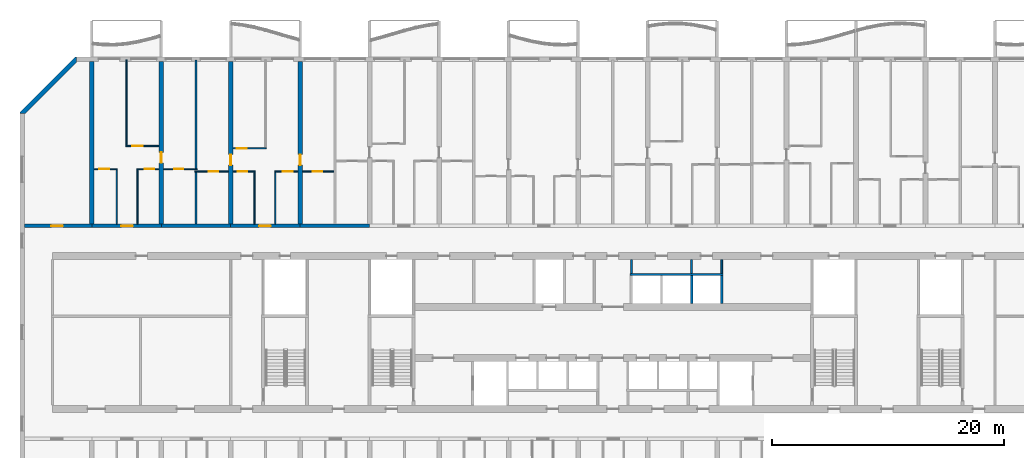
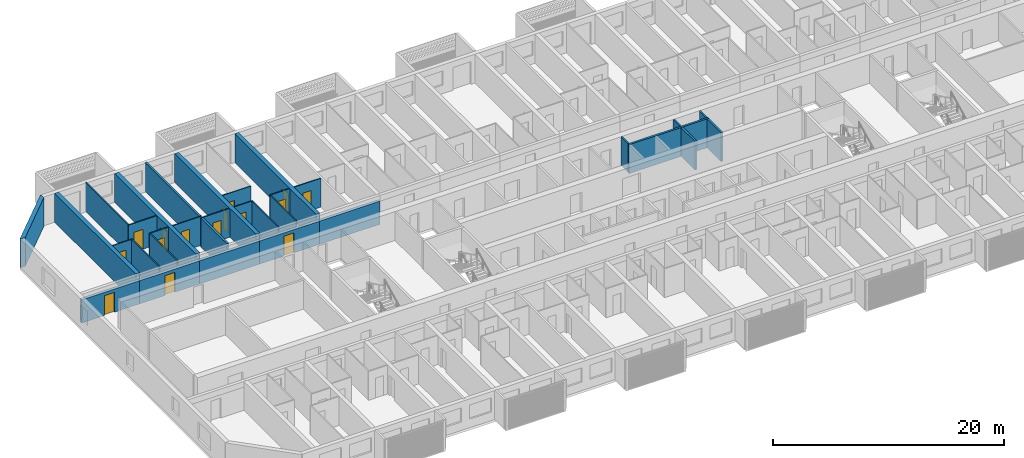
# One storey, part 10 of 38: 32 walls, 15 doors, 15 openings.
"""IFC4 building model written with IfcOpenShell, lengths in metres."""

from ifc_helpers import new_model, si_unit, direction, frame, frame_2d, origin, place, context, subcontext, project, spatial, polyline, rectangle, outline, extrude, material, layer, layer_set, type_object, element, fill, save


model = new_model("IFC4")

# Units and contexts
model_context = context("Model", 3, precision=1e-05, world=origin(), true_north=direction((0.0, 1.0)))
body_context = subcontext(model_context, "Body", "Model", "MODEL_VIEW")
ifc_project = project(units=[si_unit("LENGTHUNIT", "METRE"), si_unit("AREAUNIT", "SQUARE_METRE"), si_unit("VOLUMEUNIT", "CUBIC_METRE"), si_unit("PLANEANGLEUNIT", "RADIAN"), si_unit("MASSUNIT", "GRAM", prefix="KILO")], contexts=[model_context])

# Site, building, storey
site_placement = place(None, origin())
site = spatial("IfcSite", under=ifc_project, at=site_placement, CompositionType="ELEMENT")
building_placement = place(site_placement, origin())
building = spatial("IfcBuilding", under=site, at=building_placement, Name="Poui Terraces", CompositionType="ELEMENT")
storey_placement = place(building_placement, frame((0.0, 0.0, 46.5)))
storey = spatial("IfcBuildingStorey", under=building, at=storey_placement, Name="L12", CompositionType="ELEMENT", Elevation=46.5)

# Wall
ifc_material_1 = material(Name="Fire-rated plasterboard wall")
ifc_layer_1 = layer(ifc_material_1, 0.14990234375)
ifc_layer_set_1 = layer_set([ifc_layer_1], Name="Fire-rated plasterboard wall")
wall_type_1 = type_object("IfcWallType", Name="CORRIDOR WALL 150", PredefinedType="PARTITIONING", material=ifc_layer_set_1)
wall_1_placement = place(storey_placement, frame((52.60009765625, 26.300048828125, 0.0), z_axis=(0.0, 0.0, 1.0), x_axis=(0.0, 1.0, 0.0)))
element("IfcWall", 1, at=wall_1_placement, inside=storey, type_object=wall_type_1, Name="CORRIDOR WALL 150", PredefinedType="PARTITIONING", context=body_context, shape_type="SweptSolid", body=[
    extrude(rectangle(XDim=1.18994140625, YDim=0.14990234375, at=frame_2d((0.594970703125, 0.0))), origin(), (0.0, 0.0, 1.0), 3.050048828125),
])

# Wall, opening, door
ifc_material_2 = material(Name="Concrete 80 MPa", Category="concrete")
ifc_layer_2 = layer(ifc_material_2, 0.300048828125)
ifc_layer_set_2 = layer_set([ifc_layer_2], Name="Concrete 80 MPa")
wall_type_2 = type_object("IfcWallType", Name="CORRIDOR WALL 300 80MPa", PredefinedType="SHEAR", material=ifc_layer_set_2)
wall_2_placement = place(storey_placement, frame((0.199951171875, 30.39990234375, 0.0), z_axis=(0.0, 0.0, 1.0), x_axis=(1.0, 0.0, 0.0)))
wall_2 = element("IfcWall", 2, at=wall_2_placement, inside=storey, type_object=wall_type_2, Name="CORRIDOR WALL LINE E BAY 1", PredefinedType="SHEAR", context=body_context, shape_type="SweptSolid", body=[
    extrude(rectangle(XDim=5.800048828125, YDim=0.300048828125, at=frame_2d((2.89990234375, 0.0))), origin(), (0.0, 0.0, 1.0), 2.449951171875),
])
opening_1_placement = place(wall_2_placement, frame((2.300048828125, 0.0, 0.0)))
opening_1 = element("IfcOpeningElement", 3, at=opening_1_placement, cuts=wall_2, Name="Opening D100", PredefinedType="OPENING", context=body_context, shape_type="SweptSolid", body=[
    extrude(rectangle(XDim=1.0, YDim=2.10009765625, at=frame_2d((0.5, 1.050048828125))), frame((0.0, 0.16015625, 0.0), z_axis=(0.0, -1.0, 0.0), x_axis=(1.0, 0.0, 0.0)), (0.0, 0.0, 1.0), 0.320068359375),
])
ifc_material_3 = material(Name="Solid core timber door", Category="wood")
door_type_1 = type_object("IfcDoorType", Name="ACCESSIBLE INTERNAL DOOR 1000 X 2100", OperationType="NOTDEFINED", PredefinedType="DOOR", material=ifc_material_3)
door_1_placement = place(opening_1_placement, origin())
door_1 = element("IfcDoor", 4, at=door_1_placement, inside=storey, type_object=door_type_1, Name="ACCESSIBLE INTERNAL DOOR 031", OperationType="SINGLE_SWING_LEFT", OverallHeight=2.10009765625, OverallWidth=1.0, PredefinedType="DOOR", context=body_context, shape_type="SweptSolid", body=[
    extrude(rectangle(XDim=1.0, YDim=2.10009765625, at=frame_2d((0.5, 1.050048828125))), frame((0.0, 0.02490234375, 0.0), z_axis=(0.0, -1.0, 0.0), x_axis=(1.0, 0.0, 0.0)), (0.0, 0.0, 1.0), 0.050048828125),
])
fill(opening_1, door_1)

wall_3_placement = place(storey_placement, frame((6.0, 30.39990234375, 0.0), z_axis=(0.0, 0.0, 1.0), x_axis=(1.0, 0.0, 0.0)))
wall_3 = element("IfcWall", 5, at=wall_3_placement, inside=storey, type_object=wall_type_2, Name="CORRIDOR WALL LINE E BAY 2", PredefinedType="SHEAR", context=body_context, shape_type="SweptSolid", body=[
    extrude(rectangle(XDim=6.0, YDim=0.300048828125, at=frame_2d((3.0, 0.0))), origin(), (0.0, 0.0, 1.0), 2.449951171875),
])
opening_2_placement = place(wall_3_placement, frame((2.550048828125, 0.0, 0.0)))
opening_2 = element("IfcOpeningElement", 6, at=opening_2_placement, cuts=wall_3, Name="Opening FD30S", PredefinedType="OPENING", context=body_context, shape_type="SweptSolid", body=[
    extrude(rectangle(XDim=1.0, YDim=2.10009765625, at=frame_2d((0.5, 1.050048828125))), frame((0.0, 0.16015625, 0.0), z_axis=(0.0, -1.0, 0.0), x_axis=(1.0, 0.0, 0.0)), (0.0, 0.0, 1.0), 0.320068359375),
])
ifc_material_4 = material(Name="Steel fire door", Category="steel")
door_type_2 = type_object("IfcDoorType", Name="FLAT ENTRANCE DOOR 1000 X 2100", OperationType="NOTDEFINED", PredefinedType="DOOR", material=ifc_material_4)
door_2_placement = place(opening_2_placement, origin())
door_2 = element("IfcDoor", 7, at=door_2_placement, inside=storey, type_object=door_type_2, Name="FLAT ENTRANCE DOOR 034", OperationType="SINGLE_SWING_RIGHT", OverallHeight=2.10009765625, OverallWidth=1.0, PredefinedType="DOOR", context=body_context, shape_type="SweptSolid", body=[
    extrude(rectangle(XDim=1.0, YDim=2.10009765625, at=frame_2d((0.5, 1.050048828125))), frame((0.0, 0.02490234375, 0.0), z_axis=(0.0, -1.0, 0.0), x_axis=(1.0, 0.0, 0.0)), (0.0, 0.0, 1.0), 0.050048828125),
])
fill(opening_2, door_2)

# Wall
wall_4_placement = place(storey_placement, frame((12.0, 30.39990234375, 0.0), z_axis=(0.0, 0.0, 1.0), x_axis=(1.0, 0.0, 0.0)))
element("IfcWall", 8, at=wall_4_placement, inside=storey, type_object=wall_type_2, Name="CORRIDOR WALL LINE E BAY 3", PredefinedType="SHEAR", context=body_context, shape_type="SweptSolid", body=[
    extrude(rectangle(XDim=6.0, YDim=0.300048828125, at=frame_2d((3.0, 0.0))), origin(), (0.0, 0.0, 1.0), 2.449951171875),
])

# Wall, opening, door
wall_5_placement = place(storey_placement, frame((18.0, 30.39990234375, 0.0), z_axis=(0.0, 0.0, 1.0), x_axis=(1.0, 0.0, 0.0)))
wall_5 = element("IfcWall", 9, at=wall_5_placement, inside=storey, type_object=wall_type_2, Name="CORRIDOR WALL LINE E BAY 4", PredefinedType="SHEAR", context=body_context, shape_type="SweptSolid", body=[
    extrude(rectangle(XDim=6.0, YDim=0.300048828125, at=frame_2d((3.0, 0.0))), origin(), (0.0, 0.0, 1.0), 2.449951171875),
])
opening_3_placement = place(wall_5_placement, frame((2.449951171875, 0.0, 0.0)))
opening_3 = element("IfcOpeningElement", 10, at=opening_3_placement, cuts=wall_5, Name="Opening FD30S", PredefinedType="OPENING", context=body_context, shape_type="SweptSolid", body=[
    extrude(rectangle(XDim=1.0, YDim=2.10009765625, at=frame_2d((0.5, 1.050048828125))), frame((0.0, 0.16015625, 0.0), z_axis=(0.0, -1.0, 0.0), x_axis=(1.0, 0.0, 0.0)), (0.0, 0.0, 1.0), 0.320068359375),
])
door_3_placement = place(opening_3_placement, origin())
door_3 = element("IfcDoor", 11, at=door_3_placement, inside=storey, type_object=door_type_2, Name="FLAT ENTRANCE DOOR 043", OperationType="SINGLE_SWING_LEFT", OverallHeight=2.10009765625, OverallWidth=1.0, PredefinedType="DOOR", context=body_context, shape_type="SweptSolid", body=[
    extrude(rectangle(XDim=1.0, YDim=2.10009765625, at=frame_2d((0.5, 1.050048828125))), frame((0.0, 0.02490234375, 0.0), z_axis=(0.0, -1.0, 0.0), x_axis=(1.0, 0.0, 0.0)), (0.0, 0.0, 1.0), 0.050048828125),
])
fill(opening_3, door_3)

# Walls
wall_6_placement = place(storey_placement, frame((24.0, 30.39990234375, 0.0), z_axis=(0.0, 0.0, 1.0), x_axis=(1.0, 0.0, 0.0)))
element("IfcWall", 12, at=wall_6_placement, inside=storey, type_object=wall_type_2, Name="CORRIDOR WALL LINE E BAY 5", PredefinedType="SHEAR", context=body_context, shape_type="SweptSolid", body=[
    extrude(rectangle(XDim=6.0, YDim=0.300048828125, at=frame_2d((3.0, 0.0))), origin(), (0.0, 0.0, 1.0), 2.449951171875),
])
ifc_layer_3 = layer(ifc_material_2, 0.39990234375)
ifc_layer_set_3 = layer_set([ifc_layer_3], Name="Concrete 80 MPa")
wall_type_3 = type_object("IfcWallType", Name="CROSS WALL 400 80MPa", PredefinedType="SHEAR", material=ifc_layer_set_3)
wall_7_placement = place(storey_placement, frame((6.0, 30.550048828125, 0.0), z_axis=(0.0, 0.0, 1.0), x_axis=(0.0, 1.0, 0.0)))
element("IfcWall", 13, at=wall_7_placement, inside=storey, type_object=wall_type_3, Name="CROSS WALL LINE 2 NORTH", PredefinedType="SHEAR", context=body_context, shape_type="SweptSolid", body=[
    extrude(rectangle(XDim=14.050048828125, YDim=0.39990234375, at=frame_2d((7.02490234375, 0.0))), origin(), (0.0, 0.0, 1.0), 3.050048828125),
])

# Wall, opening, door
wall_8_placement = place(storey_placement, frame((12.0, 30.550048828125, 0.0), z_axis=(0.0, 0.0, 1.0), x_axis=(0.0, 1.0, 0.0)))
wall_8 = element("IfcWall", 14, at=wall_8_placement, inside=storey, type_object=wall_type_3, Name="CROSS WALL LINE 3 NORTH", PredefinedType="SHEAR", context=body_context, shape_type="SweptSolid", body=[
    extrude(rectangle(XDim=14.050048828125, YDim=0.39990234375, at=frame_2d((7.02490234375, 0.0))), origin(), (0.0, 0.0, 1.0), 3.050048828125),
])
opening_4_placement = place(wall_8_placement, frame((5.300048828125, 0.0, 0.0)))
opening_4 = element("IfcOpeningElement", 15, at=opening_4_placement, cuts=wall_8, Name="Opening D90", PredefinedType="OPENING", context=body_context, shape_type="SweptSolid", body=[
    extrude(rectangle(XDim=0.89990234375, YDim=2.10009765625, at=frame_2d((0.449951171875, 1.050048828125))), frame((0.0, 0.2099609375, 0.0), z_axis=(0.0, -1.0, 0.0), x_axis=(1.0, 0.0, 0.0)), (0.0, 0.0, 1.0), 0.419921875),
])
door_type_3 = type_object("IfcDoorType", Name="INTERNAL DOOR 900 X 2100", OperationType="NOTDEFINED", PredefinedType="DOOR", material=ifc_material_3)
door_4_placement = place(opening_4_placement, frame((0.89990234375, 0.0, 0.0), z_axis=(0.0, 0.0, 1.0), x_axis=(-1.0, 0.0, 0.0)))
door_4 = element("IfcDoor", 16, at=door_4_placement, inside=storey, type_object=door_type_3, Name="INTERNAL DOOR 037", OperationType="SINGLE_SWING_RIGHT", OverallHeight=2.10009765625, OverallWidth=0.89990234375, PredefinedType="DOOR", context=body_context, shape_type="SweptSolid", body=[
    extrude(rectangle(XDim=0.89990234375, YDim=2.10009765625, at=frame_2d((0.449951171875, 1.050048828125))), frame((0.0, 0.02490234375, 0.0), z_axis=(0.0, -1.0, 0.0), x_axis=(1.0, 0.0, 0.0)), (0.0, 0.0, 1.0), 0.050048828125),
])
fill(opening_4, door_4)

wall_9_placement = place(storey_placement, frame((18.0, 30.550048828125, 0.0), z_axis=(0.0, 0.0, 1.0), x_axis=(0.0, 1.0, 0.0)))
wall_9 = element("IfcWall", 17, at=wall_9_placement, inside=storey, type_object=wall_type_3, Name="CROSS WALL LINE 4 NORTH", PredefinedType="SHEAR", context=body_context, shape_type="SweptSolid", body=[
    extrude(rectangle(XDim=14.050048828125, YDim=0.39990234375, at=frame_2d((7.02490234375, 0.0))), origin(), (0.0, 0.0, 1.0), 3.050048828125),
])
opening_5_placement = place(wall_9_placement, frame((5.10009765625, 0.0, 0.0)))
opening_5 = element("IfcOpeningElement", 18, at=opening_5_placement, cuts=wall_9, Name="Opening D90", PredefinedType="OPENING", context=body_context, shape_type="SweptSolid", body=[
    extrude(rectangle(XDim=0.89990234375, YDim=2.10009765625, at=frame_2d((0.449951171875, 1.050048828125))), frame((0.0, 0.2099609375, 0.0), z_axis=(0.0, -1.0, 0.0), x_axis=(1.0, 0.0, 0.0)), (0.0, 0.0, 1.0), 0.419921875),
])
door_5_placement = place(opening_5_placement, origin())
door_5 = element("IfcDoor", 19, at=door_5_placement, inside=storey, type_object=door_type_3, Name="INTERNAL DOOR 040", OperationType="SINGLE_SWING_LEFT", OverallHeight=2.10009765625, OverallWidth=0.89990234375, PredefinedType="DOOR", context=body_context, shape_type="SweptSolid", body=[
    extrude(rectangle(XDim=0.89990234375, YDim=2.10009765625, at=frame_2d((0.449951171875, 1.050048828125))), frame((0.0, 0.02490234375, 0.0), z_axis=(0.0, -1.0, 0.0), x_axis=(1.0, 0.0, 0.0)), (0.0, 0.0, 1.0), 0.050048828125),
])
fill(opening_5, door_5)

wall_10_placement = place(storey_placement, frame((24.0, 30.550048828125, 0.0), z_axis=(0.0, 0.0, 1.0), x_axis=(0.0, 1.0, 0.0)))
wall_10 = element("IfcWall", 20, at=wall_10_placement, inside=storey, type_object=wall_type_3, Name="CROSS WALL LINE 5 NORTH", PredefinedType="SHEAR", context=body_context, shape_type="SweptSolid", body=[
    extrude(rectangle(XDim=14.050048828125, YDim=0.39990234375, at=frame_2d((7.02490234375, 0.0))), origin(), (0.0, 0.0, 1.0), 3.050048828125),
])
opening_6_placement = place(wall_10_placement, frame((5.10009765625, 0.0, 0.0)))
opening_6 = element("IfcOpeningElement", 21, at=opening_6_placement, cuts=wall_10, Name="Opening D90", PredefinedType="OPENING", context=body_context, shape_type="SweptSolid", body=[
    extrude(rectangle(XDim=0.89990234375, YDim=2.10009765625, at=frame_2d((0.449951171875, 1.050048828125))), frame((0.0, 0.2099609375, 0.0), z_axis=(0.0, -1.0, 0.0), x_axis=(1.0, 0.0, 0.0)), (0.0, 0.0, 1.0), 0.419921875),
])
door_6_placement = place(opening_6_placement, frame((0.89990234375, 0.0, 0.0), z_axis=(0.0, 0.0, 1.0), x_axis=(-1.0, 0.0, 0.0)))
door_6 = element("IfcDoor", 22, at=door_6_placement, inside=storey, type_object=door_type_3, Name="INTERNAL DOOR 045", OperationType="SINGLE_SWING_RIGHT", OverallHeight=2.10009765625, OverallWidth=0.89990234375, PredefinedType="DOOR", context=body_context, shape_type="SweptSolid", body=[
    extrude(rectangle(XDim=0.89990234375, YDim=2.10009765625, at=frame_2d((0.449951171875, 1.050048828125))), frame((0.0, 0.02490234375, 0.0), z_axis=(0.0, -1.0, 0.0), x_axis=(1.0, 0.0, 0.0)), (0.0, 0.0, 1.0), 0.050048828125),
])
fill(opening_6, door_6)

ifc_material_5 = material(Name="Plasterboard partition")
ifc_layer_4 = layer(ifc_material_5, 0.10009765625)
ifc_layer_set_4 = layer_set([ifc_layer_4], Name="Plasterboard partition")
wall_type_4 = type_object("IfcWallType", Name="FLAT PARTITION 100", PredefinedType="PARTITIONING", material=ifc_layer_set_4)
wall_11_placement = place(storey_placement, frame((14.89990234375, 35.10009765625, 0.0), z_axis=(0.0, 0.0, 1.0), x_axis=(1.0, 0.0, 0.0)))
wall_11 = element("IfcWall", 23, at=wall_11_placement, inside=storey, type_object=wall_type_4, Name="FLAT PARTITION 100", PredefinedType="PARTITIONING", context=body_context, shape_type="SweptSolid", body=[
    extrude(rectangle(XDim=2.89013671875, YDim=0.10009765625, at=frame_2d((1.445068359375, 0.0))), origin(), (0.0, 0.0, 1.0), 3.050048828125),
])
opening_7_placement = place(wall_11_placement, frame((1.199951171875, 0.0, 0.0)))
opening_7 = element("IfcOpeningElement", 24, at=opening_7_placement, cuts=wall_11, Name="Opening D80", PredefinedType="OPENING", context=body_context, shape_type="SweptSolid", body=[
    extrude(rectangle(XDim=0.800048828125, YDim=2.10009765625, at=frame_2d((0.39990234375, 1.050048828125))), frame((0.0, 0.06005859375, 0.0), z_axis=(0.0, -1.0, 0.0), x_axis=(1.0, 0.0, 0.0)), (0.0, 0.0, 1.0), 0.1201171875),
])
door_type_4 = type_object("IfcDoorType", Name="BATHROOM, LAUNDRY AND STORE DOOR 800 X 2100", OperationType="NOTDEFINED", PredefinedType="DOOR", material=ifc_material_3)
door_7_placement = place(opening_7_placement, frame((0.800048828125, 0.0, 0.0), z_axis=(0.0, 0.0, 1.0), x_axis=(-1.0, 0.0, 0.0)))
door_7 = element("IfcDoor", 25, at=door_7_placement, inside=storey, type_object=door_type_4, Name="BATHROOM, LAUNDRY AND STORE DOOR 038", OperationType="SINGLE_SWING_RIGHT", OverallHeight=2.10009765625, OverallWidth=0.800048828125, PredefinedType="DOOR", context=body_context, shape_type="SweptSolid", body=[
    extrude(rectangle(XDim=0.800048828125, YDim=2.10009765625, at=frame_2d((0.39990234375, 1.050048828125))), frame((0.0, 0.02490234375, 0.0), z_axis=(0.0, -1.0, 0.0), x_axis=(1.0, 0.0, 0.0)), (0.0, 0.0, 1.0), 0.050048828125),
])
fill(opening_7, door_7)

wall_12_placement = place(storey_placement, frame((18.2099609375, 35.10009765625, 0.0), z_axis=(0.0, 0.0, 1.0), x_axis=(1.0, 0.0, 0.0)))
wall_12 = element("IfcWall", 26, at=wall_12_placement, inside=storey, type_object=wall_type_4, Name="FLAT PARTITION 100", PredefinedType="PARTITIONING", context=body_context, shape_type="SweptSolid", body=[
    extrude(rectangle(XDim=1.89013671875, YDim=0.10009765625, at=frame_2d((0.945068359375, 0.0))), origin(), (0.0, 0.0, 1.0), 3.050048828125),
])
opening_8_placement = place(wall_12_placement, frame((0.4150390625, 0.0, 0.0)))
opening_8 = element("IfcOpeningElement", 27, at=opening_8_placement, cuts=wall_12, Name="Opening D80", PredefinedType="OPENING", context=body_context, shape_type="SweptSolid", body=[
    extrude(rectangle(XDim=0.800048828125, YDim=2.10009765625, at=frame_2d((0.39990234375, 1.050048828125))), frame((0.0, 0.06005859375, 0.0), z_axis=(0.0, -1.0, 0.0), x_axis=(1.0, 0.0, 0.0)), (0.0, 0.0, 1.0), 0.1201171875),
])
door_8_placement = place(opening_8_placement, frame((0.800048828125, 0.0, 0.0), z_axis=(0.0, 0.0, 1.0), x_axis=(-1.0, 0.0, 0.0)))
door_8 = element("IfcDoor", 28, at=door_8_placement, inside=storey, type_object=door_type_4, Name="BATHROOM, LAUNDRY AND STORE DOOR 042", OperationType="SINGLE_SWING_RIGHT", OverallHeight=2.10009765625, OverallWidth=0.800048828125, PredefinedType="DOOR", context=body_context, shape_type="SweptSolid", body=[
    extrude(rectangle(XDim=0.800048828125, YDim=2.10009765625, at=frame_2d((0.39990234375, 1.050048828125))), frame((0.0, 0.02490234375, 0.0), z_axis=(0.0, -1.0, 0.0), x_axis=(1.0, 0.0, 0.0)), (0.0, 0.0, 1.0), 0.050048828125),
])
fill(opening_8, door_8)

wall_13_placement = place(storey_placement, frame((21.800048828125, 35.10009765625, 0.0), z_axis=(0.0, 0.0, 1.0), x_axis=(1.0, 0.0, 0.0)))
wall_13 = element("IfcWall", 29, at=wall_13_placement, inside=storey, type_object=wall_type_4, Name="FLAT PARTITION 100", PredefinedType="PARTITIONING", context=body_context, shape_type="SweptSolid", body=[
    extrude(rectangle(XDim=1.989990234375, YDim=0.10009765625, at=frame_2d((0.9951171875, 0.0))), origin(), (0.0, 0.0, 1.0), 3.050048828125),
])
opening_9_placement = place(wall_13_placement, frame((0.675048828125, 0.0, 0.0)))
opening_9 = element("IfcOpeningElement", 30, at=opening_9_placement, cuts=wall_13, Name="Opening D90", PredefinedType="OPENING", context=body_context, shape_type="SweptSolid", body=[
    extrude(rectangle(XDim=0.89990234375, YDim=2.10009765625, at=frame_2d((0.449951171875, 1.050048828125))), frame((0.0, 0.06005859375, 0.0), z_axis=(0.0, -1.0, 0.0), x_axis=(1.0, 0.0, 0.0)), (0.0, 0.0, 1.0), 0.1201171875),
])
door_9_placement = place(opening_9_placement, frame((0.89990234375, 0.0, 0.0), z_axis=(0.0, 0.0, 1.0), x_axis=(-1.0, 0.0, 0.0)))
door_9 = element("IfcDoor", 31, at=door_9_placement, inside=storey, type_object=door_type_3, Name="INTERNAL DOOR 044", OperationType="SINGLE_SWING_LEFT", OverallHeight=2.10009765625, OverallWidth=0.89990234375, PredefinedType="DOOR", context=body_context, shape_type="SweptSolid", body=[
    extrude(rectangle(XDim=0.89990234375, YDim=2.10009765625, at=frame_2d((0.449951171875, 1.050048828125))), frame((0.0, 0.02490234375, 0.0), z_axis=(0.0, -1.0, 0.0), x_axis=(1.0, 0.0, 0.0)), (0.0, 0.0, 1.0), 0.050048828125),
])
fill(opening_9, door_9)

wall_14_placement = place(storey_placement, frame((24.2099609375, 35.10009765625, 0.0), z_axis=(0.0, 0.0, 1.0), x_axis=(1.0, 0.0, 0.0)))
wall_14 = element("IfcWall", 32, at=wall_14_placement, inside=storey, type_object=wall_type_4, Name="FLAT PARTITION 100", PredefinedType="PARTITIONING", context=body_context, shape_type="SweptSolid", body=[
    extrude(rectangle(XDim=2.68994140625, YDim=0.10009765625, at=frame_2d((1.344970703125, 0.0))), origin(), (0.0, 0.0, 1.0), 3.050048828125),
])
opening_10_placement = place(wall_14_placement, frame((0.889892578125, 0.0, 0.0)))
opening_10 = element("IfcOpeningElement", 33, at=opening_10_placement, cuts=wall_14, Name="Opening D80", PredefinedType="OPENING", context=body_context, shape_type="SweptSolid", body=[
    extrude(rectangle(XDim=0.800048828125, YDim=2.10009765625, at=frame_2d((0.39990234375, 1.050048828125))), frame((0.0, 0.06005859375, 0.0), z_axis=(0.0, -1.0, 0.0), x_axis=(1.0, 0.0, 0.0)), (0.0, 0.0, 1.0), 0.1201171875),
])
door_10_placement = place(opening_10_placement, frame((0.800048828125, 0.0, 0.0), z_axis=(0.0, 0.0, 1.0), x_axis=(-1.0, 0.0, 0.0)))
door_10 = element("IfcDoor", 34, at=door_10_placement, inside=storey, type_object=door_type_4, Name="BATHROOM, LAUNDRY AND STORE DOOR 039", OperationType="SINGLE_SWING_RIGHT", OverallHeight=2.10009765625, OverallWidth=0.800048828125, PredefinedType="DOOR", context=body_context, shape_type="SweptSolid", body=[
    extrude(rectangle(XDim=0.800048828125, YDim=2.10009765625, at=frame_2d((0.39990234375, 1.050048828125))), frame((0.0, 0.02490234375, 0.0), z_axis=(0.0, -1.0, 0.0), x_axis=(1.0, 0.0, 0.0)), (0.0, 0.0, 1.0), 0.050048828125),
])
fill(opening_10, door_10)

wall_15_placement = place(storey_placement, frame((6.2099609375, 35.300048828125, 0.0), z_axis=(0.0, 0.0, 1.0), x_axis=(1.0, 0.0, 0.0)))
wall_15 = element("IfcWall", 35, at=wall_15_placement, inside=storey, type_object=wall_type_4, Name="FLAT PARTITION 100", PredefinedType="PARTITIONING", context=body_context, shape_type="SweptSolid", body=[
    extrude(rectangle(XDim=1.989990234375, YDim=0.10009765625, at=frame_2d((0.9951171875, 0.0))), origin(), (0.0, 0.0, 1.0), 3.050048828125),
])
opening_11_placement = place(wall_15_placement, frame((0.4150390625, 0.0, 0.0)))
opening_11 = element("IfcOpeningElement", 36, at=opening_11_placement, cuts=wall_15, Name="Opening D90", PredefinedType="OPENING", context=body_context, shape_type="SweptSolid", body=[
    extrude(rectangle(XDim=0.89990234375, YDim=2.10009765625, at=frame_2d((0.449951171875, 1.050048828125))), frame((0.0, 0.06005859375, 0.0), z_axis=(0.0, -1.0, 0.0), x_axis=(1.0, 0.0, 0.0)), (0.0, 0.0, 1.0), 0.1201171875),
])
door_11_placement = place(opening_11_placement, frame((0.89990234375, 0.0, 0.0), z_axis=(0.0, 0.0, 1.0), x_axis=(-1.0, 0.0, 0.0)))
door_11 = element("IfcDoor", 37, at=door_11_placement, inside=storey, type_object=door_type_3, Name="INTERNAL DOOR 033", OperationType="SINGLE_SWING_LEFT", OverallHeight=2.10009765625, OverallWidth=0.89990234375, PredefinedType="DOOR", context=body_context, shape_type="SweptSolid", body=[
    extrude(rectangle(XDim=0.89990234375, YDim=2.10009765625, at=frame_2d((0.449951171875, 1.050048828125))), frame((0.0, 0.02490234375, 0.0), z_axis=(0.0, -1.0, 0.0), x_axis=(1.0, 0.0, 0.0)), (0.0, 0.0, 1.0), 0.050048828125),
])
fill(opening_11, door_11)

wall_16_placement = place(storey_placement, frame((9.89990234375, 35.300048828125, 0.0), z_axis=(0.0, 0.0, 1.0), x_axis=(1.0, 0.0, 0.0)))
wall_16 = element("IfcWall", 38, at=wall_16_placement, inside=storey, type_object=wall_type_4, Name="FLAT PARTITION 100", PredefinedType="PARTITIONING", context=body_context, shape_type="SweptSolid", body=[
    extrude(rectangle(XDim=1.89013671875, YDim=0.10009765625, at=frame_2d((0.945068359375, 0.0))), origin(), (0.0, 0.0, 1.0), 3.050048828125),
])
opening_12_placement = place(wall_16_placement, frame((0.675048828125, 0.0, 0.0)))
opening_12 = element("IfcOpeningElement", 39, at=opening_12_placement, cuts=wall_16, Name="Opening D80", PredefinedType="OPENING", context=body_context, shape_type="SweptSolid", body=[
    extrude(rectangle(XDim=0.800048828125, YDim=2.10009765625, at=frame_2d((0.39990234375, 1.050048828125))), frame((0.0, 0.06005859375, 0.0), z_axis=(0.0, -1.0, 0.0), x_axis=(1.0, 0.0, 0.0)), (0.0, 0.0, 1.0), 0.1201171875),
])
door_12_placement = place(opening_12_placement, frame((0.800048828125, 0.0, 0.0), z_axis=(0.0, 0.0, 1.0), x_axis=(-1.0, 0.0, 0.0)))
door_12 = element("IfcDoor", 40, at=door_12_placement, inside=storey, type_object=door_type_4, Name="BATHROOM, LAUNDRY AND STORE DOOR 036", OperationType="SINGLE_SWING_RIGHT", OverallHeight=2.10009765625, OverallWidth=0.800048828125, PredefinedType="DOOR", context=body_context, shape_type="SweptSolid", body=[
    extrude(rectangle(XDim=0.800048828125, YDim=2.10009765625, at=frame_2d((0.39990234375, 1.050048828125))), frame((0.0, 0.02490234375, 0.0), z_axis=(0.0, -1.0, 0.0), x_axis=(1.0, 0.0, 0.0)), (0.0, 0.0, 1.0), 0.050048828125),
])
fill(opening_12, door_12)

wall_17_placement = place(storey_placement, frame((12.2099609375, 35.300048828125, 0.0), z_axis=(0.0, 0.0, 1.0), x_axis=(1.0, 0.0, 0.0)))
wall_17 = element("IfcWall", 41, at=wall_17_placement, inside=storey, type_object=wall_type_4, Name="FLAT PARTITION 100", PredefinedType="PARTITIONING", context=body_context, shape_type="SweptSolid", body=[
    extrude(rectangle(XDim=2.89013671875, YDim=0.10009765625, at=frame_2d((1.445068359375, 0.0))), origin(), (0.0, 0.0, 1.0), 3.050048828125),
])
opening_13_placement = place(wall_17_placement, frame((0.889892578125, 0.0, 0.0)))
opening_13 = element("IfcOpeningElement", 42, at=opening_13_placement, cuts=wall_17, Name="Opening D80", PredefinedType="OPENING", context=body_context, shape_type="SweptSolid", body=[
    extrude(rectangle(XDim=0.800048828125, YDim=2.10009765625, at=frame_2d((0.39990234375, 1.050048828125))), frame((0.0, 0.06005859375, 0.0), z_axis=(0.0, -1.0, 0.0), x_axis=(1.0, 0.0, 0.0)), (0.0, 0.0, 1.0), 0.1201171875),
])
door_13_placement = place(opening_13_placement, frame((0.800048828125, 0.0, 0.0), z_axis=(0.0, 0.0, 1.0), x_axis=(-1.0, 0.0, 0.0)))
door_13 = element("IfcDoor", 43, at=door_13_placement, inside=storey, type_object=door_type_4, Name="BATHROOM, LAUNDRY AND STORE DOOR 032", OperationType="SINGLE_SWING_LEFT", OverallHeight=2.10009765625, OverallWidth=0.800048828125, PredefinedType="DOOR", context=body_context, shape_type="SweptSolid", body=[
    extrude(rectangle(XDim=0.800048828125, YDim=2.10009765625, at=frame_2d((0.39990234375, 1.050048828125))), frame((0.0, 0.02490234375, 0.0), z_axis=(0.0, -1.0, 0.0), x_axis=(1.0, 0.0, 0.0)), (0.0, 0.0, 1.0), 0.050048828125),
])
fill(opening_13, door_13)

wall_18_placement = place(storey_placement, frame((18.2099609375, 37.10009765625, 0.0), z_axis=(0.0, 0.0, 1.0), x_axis=(1.0, 0.0, 0.0)))
wall_18 = element("IfcWall", 44, at=wall_18_placement, inside=storey, type_object=wall_type_4, Name="FLAT PARTITION 100", PredefinedType="PARTITIONING", context=body_context, shape_type="SweptSolid", body=[
    extrude(rectangle(XDim=2.840087890625, YDim=0.10009765625, at=frame_2d((1.419921875, 0.0))), origin(), (0.0, 0.0, 1.0), 3.050048828125),
])
opening_14_placement = place(wall_18_placement, frame((0.2900390625, 0.0, 0.0)))
opening_14 = element("IfcOpeningElement", 45, at=opening_14_placement, cuts=wall_18, Name="Opening D90", PredefinedType="OPENING", context=body_context, shape_type="SweptSolid", body=[
    extrude(rectangle(XDim=0.89990234375, YDim=2.10009765625, at=frame_2d((0.449951171875, 1.050048828125))), frame((0.0, 0.06005859375, 0.0), z_axis=(0.0, -1.0, 0.0), x_axis=(1.0, 0.0, 0.0)), (0.0, 0.0, 1.0), 0.1201171875),
])
door_14_placement = place(opening_14_placement, frame((0.89990234375, 0.0, 0.0), z_axis=(0.0, 0.0, 1.0), x_axis=(-1.0, 0.0, 0.0)))
door_14 = element("IfcDoor", 46, at=door_14_placement, inside=storey, type_object=door_type_3, Name="INTERNAL DOOR 041", OperationType="SINGLE_SWING_LEFT", OverallHeight=2.10009765625, OverallWidth=0.89990234375, PredefinedType="DOOR", context=body_context, shape_type="SweptSolid", body=[
    extrude(rectangle(XDim=0.89990234375, YDim=2.10009765625, at=frame_2d((0.449951171875, 1.050048828125))), frame((0.0, 0.02490234375, 0.0), z_axis=(0.0, -1.0, 0.0), x_axis=(1.0, 0.0, 0.0)), (0.0, 0.0, 1.0), 0.050048828125),
])
fill(opening_14, door_14)

wall_19_placement = place(storey_placement, frame((8.949951171875, 37.300048828125, 0.0), z_axis=(0.0, 0.0, 1.0), x_axis=(1.0, 0.0, 0.0)))
wall_19 = element("IfcWall", 47, at=wall_19_placement, inside=storey, type_object=wall_type_4, Name="FLAT PARTITION 100", PredefinedType="PARTITIONING", context=body_context, shape_type="SweptSolid", body=[
    extrude(rectangle(XDim=2.840087890625, YDim=0.10009765625, at=frame_2d((1.419921875, 0.0))), origin(), (0.0, 0.0, 1.0), 3.050048828125),
])
opening_15_placement = place(wall_19_placement, frame((0.550048828125, 0.0, 0.0)))
opening_15 = element("IfcOpeningElement", 48, at=opening_15_placement, cuts=wall_19, Name="Opening D90", PredefinedType="OPENING", context=body_context, shape_type="SweptSolid", body=[
    extrude(rectangle(XDim=0.89990234375, YDim=2.10009765625, at=frame_2d((0.449951171875, 1.050048828125))), frame((0.0, 0.06005859375, 0.0), z_axis=(0.0, -1.0, 0.0), x_axis=(1.0, 0.0, 0.0)), (0.0, 0.0, 1.0), 0.1201171875),
])
door_15_placement = place(opening_15_placement, frame((0.89990234375, 0.0, 0.0), z_axis=(0.0, 0.0, 1.0), x_axis=(-1.0, 0.0, 0.0)))
door_15 = element("IfcDoor", 49, at=door_15_placement, inside=storey, type_object=door_type_3, Name="INTERNAL DOOR 035", OperationType="SINGLE_SWING_LEFT", OverallHeight=2.10009765625, OverallWidth=0.89990234375, PredefinedType="DOOR", context=body_context, shape_type="SweptSolid", body=[
    extrude(rectangle(XDim=0.89990234375, YDim=2.10009765625, at=frame_2d((0.449951171875, 1.050048828125))), frame((0.0, 0.02490234375, 0.0), z_axis=(0.0, -1.0, 0.0), x_axis=(1.0, 0.0, 0.0)), (0.0, 0.0, 1.0), 0.050048828125),
])
fill(opening_15, door_15)

# Walls
wall_20_placement = place(storey_placement, frame((8.14990234375, 30.56005859375, 0.0), z_axis=(0.0, 0.0, 1.0), x_axis=(0.0, 1.0, 0.0)))
element("IfcWall", 50, at=wall_20_placement, inside=storey, type_object=wall_type_4, Name="FLAT PARTITION 100", PredefinedType="PARTITIONING", context=body_context, shape_type="SweptSolid", body=[
    extrude(rectangle(XDim=4.68994140625, YDim=0.10009765625, at=frame_2d((2.344970703125, 0.0))), origin(), (0.0, 0.0, 1.0), 3.050048828125),
])
wall_21_placement = place(storey_placement, frame((9.0, 37.35009765625, 0.0), z_axis=(0.0, 0.0, 1.0), x_axis=(0.0, 1.0, 0.0)))
element("IfcWall", 51, at=wall_21_placement, inside=storey, type_object=wall_type_4, Name="FLAT PARTITION 100", PredefinedType="PARTITIONING", context=body_context, shape_type="SweptSolid", body=[
    extrude(rectangle(XDim=7.389892578125, YDim=0.10009765625, at=frame_2d((3.69482421875, 0.0))), origin(), (0.0, 0.0, 1.0), 3.050048828125),
])
wall_22_placement = place(storey_placement, frame((9.949951171875, 30.56005859375, 0.0), z_axis=(0.0, 0.0, 1.0), x_axis=(0.0, 1.0, 0.0)))
element("IfcWall", 52, at=wall_22_placement, inside=storey, type_object=wall_type_4, Name="FLAT PARTITION 100", PredefinedType="PARTITIONING", context=body_context, shape_type="SweptSolid", body=[
    extrude(rectangle(XDim=4.68994140625, YDim=0.10009765625, at=frame_2d((2.344970703125, 0.0))), origin(), (0.0, 0.0, 1.0), 3.050048828125),
])
for number, where, z_axis, x_axis, name in (
    (53, (20.050048828125, 30.56005859375, 0.0), (0.0, 0.0, 1.0), (0.0, 1.0, 0.0), "FLAT PARTITION 100"),
    (54, (21.85009765625, 30.56005859375, 0.0), (0.0, 0.0, 1.0), (0.0, 1.0, 0.0), "FLAT PARTITION 100"),
):
    element("IfcWall", number, at=place(storey_placement, frame(where, z_axis=z_axis, x_axis=x_axis)), inside=storey, type_object=wall_type_4, Name=name, PredefinedType="PARTITIONING", context=body_context, shape_type="SweptSolid", body=[
        extrude(rectangle(XDim=4.489990234375, YDim=0.10009765625, at=frame_2d((2.2451171875, 0.0))), origin(), (0.0, 0.0, 1.0), 3.050048828125),
    ])
ifc_material_6 = material(Name="Fire-rated masonry wall", Category="masonry")
ifc_layer_5 = layer(ifc_material_6, 0.199951171875)
ifc_layer_set_5 = layer_set([ifc_layer_5], Name="Fire-rated masonry wall")
wall_type_5 = type_object("IfcWallType", Name="FLAT PARTY WALL 200", PredefinedType="PARTITIONING", material=ifc_layer_set_5)
wall_23_placement = place(storey_placement, frame((15.0, 30.56005859375, 0.0), z_axis=(0.0, 0.0, 1.0), x_axis=(0.0, 1.0, 0.0)))
element("IfcWall", 55, at=wall_23_placement, inside=storey, type_object=wall_type_5, Name="FLAT PARTY WALL 200", PredefinedType="PARTITIONING", context=body_context, shape_type="SweptSolid", body=[
    extrude(rectangle(XDim=4.489990234375, YDim=0.199951171875, at=frame_2d((2.2451171875, 0.0))), origin(), (0.0, 0.0, 1.0), 3.050048828125),
])
wall_24_placement = place(storey_placement, frame((15.0, 35.35009765625, 0.0), z_axis=(0.0, 0.0, 1.0), x_axis=(0.0, 1.0, 0.0)))
element("IfcWall", 56, at=wall_24_placement, inside=storey, type_object=wall_type_5, Name="FLAT PARTY WALL 200", PredefinedType="PARTITIONING", context=body_context, shape_type="SweptSolid", body=[
    extrude(rectangle(XDim=9.389892578125, YDim=0.199951171875, at=frame_2d((4.69482421875, 0.0))), origin(), (0.0, 0.0, 1.0), 3.050048828125),
])
ifc_layer_6 = layer(ifc_material_5, 0.14990234375)
ifc_layer_set_6 = layer_set([ifc_layer_6], Name="Plasterboard partition")
wall_type_6 = type_object("IfcWallType", Name="PARTITION WALL 150", PredefinedType="PARTITIONING", material=ifc_layer_set_6)
for number, where, z_axis, x_axis, name in (
    (57, (57.800048828125, 26.300048828125, 0.0), (0.0, 0.0, 1.0), (0.0, 1.0, 0.0), "PARTITION WALL 150"),
    (58, (60.39990234375, 26.300048828125, 0.0), (0.0, 0.0, 1.0), (0.0, 1.0, 0.0), "PARTITION WALL 150"),
):
    element("IfcWall", number, at=place(storey_placement, frame(where, z_axis=z_axis, x_axis=x_axis)), inside=storey, type_object=wall_type_6, Name=name, PredefinedType="PARTITIONING", context=body_context, shape_type="SweptSolid", body=[
        extrude(rectangle(XDim=1.18994140625, YDim=0.14990234375, at=frame_2d((0.594970703125, 0.0))), origin(), (0.0, 0.0, 1.0), 3.050048828125),
    ])
ifc_material_7 = material(Name="Fire-rated masonry shaft wall", Category="masonry")
ifc_layer_7 = layer(ifc_material_7, 0.199951171875)
ifc_layer_set_7 = layer_set([ifc_layer_7], Name="Fire-rated masonry shaft wall")
wall_type_7 = type_object("IfcWallType", Name="SHAFT WALL 200", PredefinedType="PARTITIONING", material=ifc_layer_set_7)
wall_25_placement = place(storey_placement, frame((52.5, 26.199951171875, 0.0), z_axis=(0.0, 0.0, 1.0), x_axis=(1.0, 0.0, 0.0)))
element("IfcWall", 59, at=wall_25_placement, inside=storey, type_object=wall_type_7, Name="SHAFT WALL 200", PredefinedType="PARTITIONING", context=body_context, shape_type="SweptSolid", body=[
    extrude(rectangle(XDim=8.0, YDim=0.199951171875, at=frame_2d((4.0, 0.0))), origin(), (0.0, 0.0, 1.0), 3.050048828125),
])
for number, where, z_axis, x_axis, name in (
    (60, (57.800048828125, 23.7099609375, 0.0), (0.0, 0.0, 1.0), (0.0, 1.0, 0.0), "SHAFT WALL 200"),
    (61, (60.39990234375, 23.7099609375, 0.0), (0.0, 0.0, 1.0), (0.0, 1.0, 0.0), "SHAFT WALL 200"),
):
    element("IfcWall", number, at=place(storey_placement, frame(where, z_axis=z_axis, x_axis=x_axis)), inside=storey, type_object=wall_type_7, Name=name, PredefinedType="PARTITIONING", context=body_context, shape_type="SweptSolid", body=[
        extrude(rectangle(XDim=2.39013671875, YDim=0.199951171875, at=frame_2d((1.195068359375, 0.0))), origin(), (0.0, 0.0, 1.0), 3.050048828125),
    ])
ifc_material_8 = material(Name="Precast concrete 40 MPa", Category="concrete")
ifc_layer_8 = layer(ifc_material_8, 0.39990234375)
ifc_layer_set_8 = layer_set([ifc_layer_8], Name="Precast concrete 40 MPa")
wall_type_8 = type_object("IfcWallType", Name="TERRACOTTA CLAD CHAMFER WALL 400", PredefinedType="STANDARD", material=ifc_layer_set_8)
wall_26_placement = place(storey_placement, origin())
element("IfcWall", 62, at=wall_26_placement, inside=storey, type_object=wall_type_8, Name="CHAMFER WALL CH05", PredefinedType="STANDARD", context=body_context, shape_type="SweptSolid", body=[
    extrude(outline(polyline([(4.682861328125, 45.0), (4.60009765625, 45.0), (-0.199951171875, 40.199951171875), (-0.199951171875, 40.1171875), (0.28271484375, 40.1171875), (4.682861328125, 44.51708984375), (4.682861328125, 45.0)])), origin(), (0.0, 0.0, 1.0), 3.050048828125),
])

save(model, "model.ifc")
